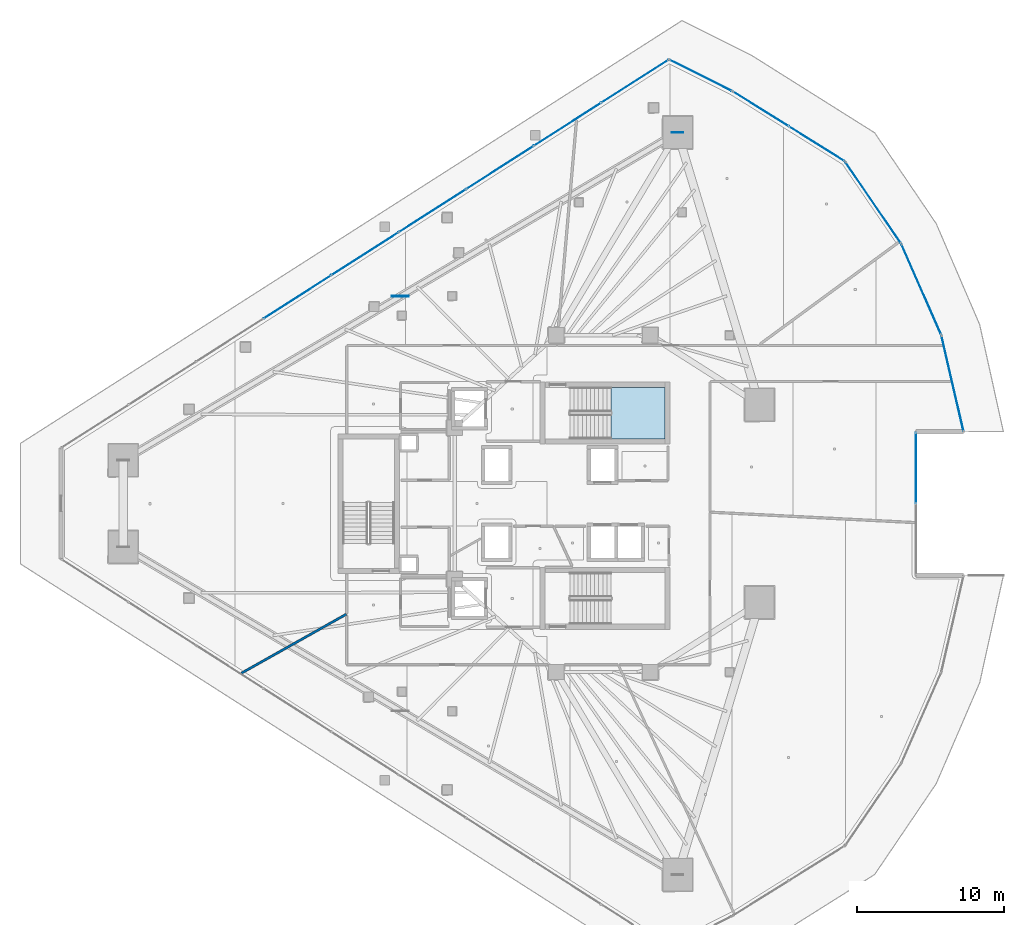
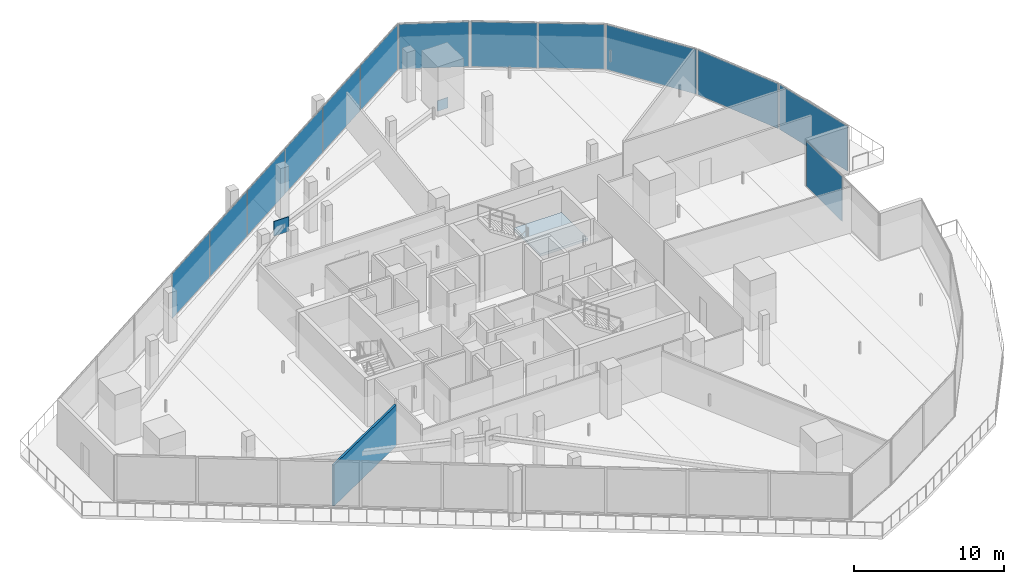
# One storey, part 28 of 40: 15 plates, 1 slab, 1 wall, 8 elements without a shape of their own.
"""IFC4 building model written with IfcOpenShell, lengths in metres."""

from ifc_helpers import new_model, si_unit, direction, frame, frame_2d, origin, origin_2d, place, context, subcontext, project, spatial, polyline, rectangle, outline, extrude, material, layer, layer_set, type_object, element, aggregate, save


model = new_model("IFC4")

# Units and contexts
model_context = context("Model", 3, precision=1e-05, world=origin(), true_north=direction((0.0, 1.0)))
body_context = subcontext(model_context, "Body", "Model", "MODEL_VIEW")
ifc_project = project(units=[si_unit("LENGTHUNIT", "METRE"), si_unit("AREAUNIT", "SQUARE_METRE"), si_unit("VOLUMEUNIT", "CUBIC_METRE"), si_unit("PLANEANGLEUNIT", "RADIAN"), si_unit("MASSUNIT", "GRAM", prefix="KILO")], contexts=[model_context])

# Site, building, storey
site_placement = place(None, origin())
site = spatial("IfcSite", under=ifc_project, at=site_placement, CompositionType="ELEMENT")
building_placement = place(site_placement, origin())
building = spatial("IfcBuilding", under=site, at=building_placement, Name="Qorvath Tower", CompositionType="ELEMENT")
storey_placement = place(building_placement, frame((0.0, 0.0, 138.14990234375)))
storey = spatial("IfcBuildingStorey", under=building, at=storey_placement, Name="L31", CompositionType="ELEMENT", Elevation=138.14990234375)

# Curtain wall, plate
ifc_material_1 = material(Name="Anodised aluminium and triple low-E glass", Category="aluminium")
ifc_layer_1 = layer(ifc_material_1, 0.179931640625)
ifc_layer_set_1 = layer_set([ifc_layer_1], Name="CW-SYS-3")
curtain_wall_type = type_object("IfcCurtainWallType", Name="CW-SYS-3", PredefinedType="NOTDEFINED", material=ifc_layer_set_1)
curtain_wall_1_placement = place(storey_placement, origin())
curtain_wall_1 = element("IfcCurtainWall", 1, at=curtain_wall_1_placement, inside=storey, type_object=curtain_wall_type, Name="Curtain Wall CW-3 CW-T-L31-9.1", PredefinedType="NOTDEFINED")
ifc_material_2 = material(Name="Low-E triple insulated glass", Category="glass")
ifc_layer_2 = layer(ifc_material_2, 0.031982421875)
ifc_layer_set_2 = layer_set([ifc_layer_2], Name="CWP-GLZ-32")
plate_type_1 = type_object("IfcPlateType", Name="CWP-GLZ-32", PredefinedType="CURTAIN_PANEL", material=ifc_layer_set_2)
plate_1_placement = place(storey_placement, frame((0.86328125, 2.424560546875, 0.06494140625), z_axis=(0.0, 0.0, 1.0), x_axis=(0.0, 1.0, 0.0)))
plate_1 = element("IfcPlate", 2, at=plate_1_placement, type_object=plate_type_1, Name="CW-3 panel 2.1", PredefinedType="CURTAIN_PANEL", context=body_context, shape_type="SweptSolid", body=[
    extrude(rectangle(XDim=4.7841796875, YDim=0.031982421875, at=origin_2d()), origin(), (0.0, 0.0, 1.0), 3.64990234375),
])
aggregate(curtain_wall_1, [plate_1])

curtain_wall_2_placement = place(storey_placement, origin())
curtain_wall_2 = element("IfcCurtainWall", 3, at=curtain_wall_2_placement, inside=storey, type_object=curtain_wall_type, Name="Curtain Wall CW-3 CW-T-L31-11.1", PredefinedType="NOTDEFINED")
plate_2_placement = place(storey_placement, frame((3.354736328125, 8.17919921875, 0.06494140625), z_axis=(0.0, 0.0, 1.0), x_axis=(-0.225417265338, 0.974262314004, 0.0)))
plate_2 = element("IfcPlate", 4, at=plate_2_placement, type_object=plate_type_1, Name="CW-3 panel 1.1", PredefinedType="CURTAIN_PANEL", context=body_context, shape_type="SweptSolid", body=[
    extrude(rectangle(XDim=6.63916015625, YDim=0.031982421875, at=origin_2d()), origin(), (0.0, 0.0, 1.0), 3.64990234375),
])
aggregate(curtain_wall_2, [plate_2])

curtain_wall_3_placement = place(storey_placement, origin())
curtain_wall_3 = element("IfcCurtainWall", 5, at=curtain_wall_3_placement, inside=storey, type_object=curtain_wall_type, Name="Curtain Wall CW-3 CW-T-L31-12.1", PredefinedType="NOTDEFINED")
plate_3_placement = place(storey_placement, frame((1.23193359375, 14.575927734375, 0.06494140625), z_axis=(0.0, 0.0, 1.0), x_axis=(-0.401781910433, 0.915735385605, 0.0)))
plate_3 = element("IfcPlate", 6, at=plate_3_placement, type_object=plate_type_1, Name="CW-3 panel 1.1", PredefinedType="CURTAIN_PANEL", context=body_context, shape_type="SweptSolid", body=[
    extrude(rectangle(XDim=6.63916015625, YDim=0.031982421875, at=origin_2d()), origin(), (0.0, 0.0, 1.0), 3.64990234375),
])
aggregate(curtain_wall_3, [plate_3])

curtain_wall_4_placement = place(storey_placement, origin())
curtain_wall_4 = element("IfcCurtainWall", 7, at=curtain_wall_4_placement, inside=storey, type_object=curtain_wall_type, Name="Curtain Wall CW-3 CW-T-L31-13.1", PredefinedType="NOTDEFINED")
plate_4_placement = place(storey_placement, frame((-2.03759765625, 20.4697265625, 0.06494140625), z_axis=(0.0, 0.0, 1.0), x_axis=(-0.56422256167, 0.825622735214, 0.0)))
plate_4 = element("IfcPlate", 8, at=plate_4_placement, type_object=plate_type_1, Name="CW-3 panel 1.1", PredefinedType="CURTAIN_PANEL", context=body_context, shape_type="SweptSolid", body=[
    extrude(rectangle(XDim=6.639404296875, YDim=0.031982421875, at=origin_2d()), origin(), (0.0, 0.0, 1.0), 3.64990234375),
])
aggregate(curtain_wall_4, [plate_4])

# Curtain wall, plates
curtain_wall_5_placement = place(storey_placement, origin())
curtain_wall_5 = element("IfcCurtainWall", 9, at=curtain_wall_5_placement, inside=storey, type_object=curtain_wall_type, Name="Curtain Wall CW-3 CW-T-L31-14.1", PredefinedType="NOTDEFINED")
plate_5_placement = place(storey_placement, frame((-5.878173828125, 24.46923828125, 0.06494140625), z_axis=(0.0, 0.0, 1.0), x_axis=(-0.848347418258, 0.529439947431, 0.0)))
plate_5 = element("IfcPlate", 10, at=plate_5_placement, type_object=plate_type_1, Name="CW-3 panel 1.1", PredefinedType="CURTAIN_PANEL", context=body_context, shape_type="SweptSolid", body=[
    extrude(rectangle(XDim=4.421875, YDim=0.031982421875, at=origin_2d()), origin(), (0.0, 0.0, 1.0), 3.64990234375),
])
plate_6_placement = place(storey_placement, frame((-9.6845703125, 26.8447265625, 0.06494140625), z_axis=(0.0, 0.0, 1.0), x_axis=(-0.848347418258, 0.529439947431, 0.0)))
plate_6 = element("IfcPlate", 11, at=plate_6_placement, type_object=plate_type_1, Name="CW-3 panel 2.1", PredefinedType="CURTAIN_PANEL", context=body_context, shape_type="SweptSolid", body=[
    extrude(rectangle(XDim=4.421875, YDim=0.031982421875, at=origin_2d()), origin(), (0.0, 0.0, 1.0), 3.64990234375),
])
aggregate(curtain_wall_5, [plate_5, plate_6])

# Curtain wall, plate
curtain_wall_6_placement = place(storey_placement, origin())
curtain_wall_6 = element("IfcCurtainWall", 12, at=curtain_wall_6_placement, inside=storey, type_object=curtain_wall_type, Name="Curtain Wall CW-3 CW-T-L31-15.1", PredefinedType="NOTDEFINED")
plate_7_placement = place(storey_placement, frame((-13.773193359375, 29.128662109375, 0.06494140625), z_axis=(0.0, 0.0, 1.0), x_axis=(-0.894427191001, 0.447213595499, 0.0)))
plate_7 = element("IfcPlate", 13, at=plate_7_placement, type_object=plate_type_1, Name="CW-3 panel 1.1", PredefinedType="CURTAIN_PANEL", context=body_context, shape_type="SweptSolid", body=[
    extrude(rectangle(XDim=4.69482421875, YDim=0.031982421875, at=origin_2d()), origin(), (0.0, 0.0, 1.0), 3.64990234375),
])
aggregate(curtain_wall_6, [plate_7])

# Curtain wall, plates
curtain_wall_7_placement = place(storey_placement, origin())
curtain_wall_7 = element("IfcCurtainWall", 14, at=curtain_wall_7_placement, inside=storey, type_object=curtain_wall_type, Name="Curtain Wall CW-3 CW-T-L31-16.1", PredefinedType="NOTDEFINED")
plate_8_placement = place(storey_placement, frame((-18.2421875, 28.730224609375, 0.06494140625), z_axis=(0.0, 0.0, 1.0), x_axis=(-0.842603525385, -0.538534399095, 0.0)))
plate_8 = element("IfcPlate", 15, at=plate_8_placement, type_object=plate_type_1, Name="CW-3 panel 1.1", PredefinedType="CURTAIN_PANEL", context=body_context, shape_type="SweptSolid", body=[
    extrude(rectangle(XDim=5.35595703125, YDim=0.031982421875, at=origin_2d()), origin(), (0.0, 0.0, 1.0), 3.64990234375),
])
plate_9_placement = place(storey_placement, frame((-22.823486328125, 25.80224609375, 0.06494140625), z_axis=(0.0, 0.0, 1.0), x_axis=(-0.842603525385, -0.538534399095, 0.0)))
plate_9 = element("IfcPlate", 16, at=plate_9_placement, type_object=plate_type_1, Name="CW-3 panel 2.1", PredefinedType="CURTAIN_PANEL", context=body_context, shape_type="SweptSolid", body=[
    extrude(rectangle(XDim=5.388427734375, YDim=0.031982421875, at=origin_2d()), origin(), (0.0, 0.0, 1.0), 3.64990234375),
])
plate_10_placement = place(storey_placement, frame((-27.41845703125, 22.865478515625, 0.06494140625), z_axis=(0.0, 0.0, 1.0), x_axis=(-0.842603525385, -0.538534399095, 0.0)))
plate_10 = element("IfcPlate", 17, at=plate_10_placement, type_object=plate_type_1, Name="CW-3 panel 3.1", PredefinedType="CURTAIN_PANEL", context=body_context, shape_type="SweptSolid", body=[
    extrude(rectangle(XDim=5.388427734375, YDim=0.031982421875, at=origin_2d()), origin(), (0.0, 0.0, 1.0), 3.64990234375),
])
plate_11_placement = place(storey_placement, frame((-32.013671875, 19.928466796875, 0.06494140625), z_axis=(0.0, 0.0, 1.0), x_axis=(-0.842603525385, -0.538534399095, 0.0)))
plate_11 = element("IfcPlate", 18, at=plate_11_placement, type_object=plate_type_1, Name="CW-3 panel 4.1", PredefinedType="CURTAIN_PANEL", context=body_context, shape_type="SweptSolid", body=[
    extrude(rectangle(XDim=5.388427734375, YDim=0.031982421875, at=origin_2d()), origin(), (0.0, 0.0, 1.0), 3.64990234375),
])
plate_12_placement = place(storey_placement, frame((-36.608642578125, 16.99169921875, 0.06494140625), z_axis=(0.0, 0.0, 1.0), x_axis=(-0.842603525385, -0.538534399095, 0.0)))
plate_12 = element("IfcPlate", 19, at=plate_12_placement, type_object=plate_type_1, Name="CW-3 panel 5.1", PredefinedType="CURTAIN_PANEL", context=body_context, shape_type="SweptSolid", body=[
    extrude(rectangle(XDim=5.388427734375, YDim=0.031982421875, at=origin_2d()), origin(), (0.0, 0.0, 1.0), 3.64990234375),
])
plate_13_placement = place(storey_placement, frame((-41.20361328125, 14.054931640625, 0.06494140625), z_axis=(0.0, 0.0, 1.0), x_axis=(-0.842603525385, -0.538534399095, 0.0)))
plate_13 = element("IfcPlate", 20, at=plate_13_placement, type_object=plate_type_1, Name="CW-3 panel 6.1", PredefinedType="CURTAIN_PANEL", context=body_context, shape_type="SweptSolid", body=[
    extrude(rectangle(XDim=5.388427734375, YDim=0.031982421875, at=origin_2d()), origin(), (0.0, 0.0, 1.0), 3.64990234375),
])
aggregate(curtain_wall_7, [plate_8, plate_9, plate_10, plate_11, plate_12, plate_13])

# Plates
ifc_material_3 = material(Name="Steel ASTM A572 Grade 50", Category="steel")
ifc_layer_3 = layer(ifc_material_3, 0.054931640625)
ifc_layer_set_3 = layer_set([ifc_layer_3], Name="PL-MBN1")
plate_type_2 = type_object("IfcPlateType", Name="PL-MBN1", PredefinedType="USERDEFINED", material=ifc_layer_set_3)
plate_14_placement = place(storey_placement, frame((-34.19677734375, 14.098388671875, 2.830078125), z_axis=(0.0, 0.0, 1.0), x_axis=(1.0, 0.0, 0.0)))
element("IfcPlate", 21, at=plate_14_placement, inside=storey, type_object=plate_type_2, Name="Mega-Brace Chevron Apex Gusset L31-1", ObjectType="GUSSET", PredefinedType="USERDEFINED", context=body_context, shape_type="SweptSolid", body=[
    extrude(rectangle(XDim=1.14990234375, YDim=0.054931640625, at=origin_2d()), origin(), (0.0, 0.0, 1.0), 1.199951171875),
])
plate_15_placement = place(storey_placement, frame((-15.34423828125, 25.24609375, -0.425048828125), z_axis=(0.0, 0.0, 1.0), x_axis=(1.0, 0.0, 0.0)))
element("IfcPlate", 22, at=plate_15_placement, inside=storey, type_object=plate_type_2, Name="Brace Strut End Gusset Plate NDBG-093", ObjectType="GUSSET", PredefinedType="USERDEFINED", context=body_context, shape_type="SweptSolid", body=[
    extrude(rectangle(XDim=0.800048828125, YDim=0.054931640625, at=origin_2d()), origin(), (0.0, 0.0, 1.0), 0.85009765625),
])

# Stair, slab
ifc_material_4 = material(Name="Concrete C50/60", Category="concrete")
stair_type = type_object("IfcStairType", Name="ST-H405", PredefinedType="HALF_TURN_STAIR", material=ifc_material_4)
stair_placement = place(storey_placement, origin())
stair = element("IfcStair", 23, at=stair_placement, inside=storey, type_object=stair_type, Name="L31 Tower Exit Stair 1", PredefinedType="HALF_TURN_STAIR")
ifc_material_5 = material(Name="Concrete C50/60", Category="concrete")
ifc_layer_4 = layer(ifc_material_5, 0.199951171875)
ifc_layer_set_4 = layer_set([ifc_layer_4], Name="SL-LND-200")
slab_type = type_object("IfcSlabType", Name="SL-LND-200", PredefinedType="LANDING", material=ifc_layer_set_4)
slab_placement = place(storey_placement, frame((0.0, 0.0, 1.8251953125)))
slab = element("IfcSlab", 24, at=slab_placement, type_object=slab_type, Name="TS1 landing 1", PredefinedType="LANDING", context=body_context, shape_type="SweptSolid", body=[
    extrude(outline(polyline([(-19.8701171875, 4.39990234375), (-16.199951171875, 4.39990234375), (-16.199951171875, 7.909912109375), (-19.8701171875, 7.909912109375), (-19.8701171875, 4.39990234375)])), origin(), (0.0, 0.0, 1.0), 0.199951171875),
])
aggregate(stair, [slab])

# Wall
ifc_material_6 = material(Name="Double acoustic gypsum board on steel studs", Category="steel")
ifc_layer_5 = layer(ifc_material_6, 0.159912109375)
ifc_layer_set_5 = layer_set([ifc_layer_5], Name="IW-ACOUSTIC-160")
wall_type = type_object("IfcWallType", Name="IW-ACOUSTIC-160", PredefinedType="PARTITIONING", material=ifc_layer_set_5)
wall_placement = place(storey_placement, frame((-45.017333984375, -11.53369140625, 0.0), z_axis=(0.0, 0.0, 1.0), x_axis=(0.871706095803, 0.490029062954, 0.0)))
element("IfcWall", 25, at=wall_placement, inside=storey, type_object=wall_type, Name="Interior Partition IW-T1-L31-025", PredefinedType="PARTITIONING", context=body_context, shape_type="SweptSolid", body=[
    extrude(rectangle(XDim=8.188232421875, YDim=0.159912109375, at=frame_2d((4.09423828125, 0.0))), origin(), (0.0, 0.0, 1.0), 3.34375),
])

save(model, "model.ifc")
